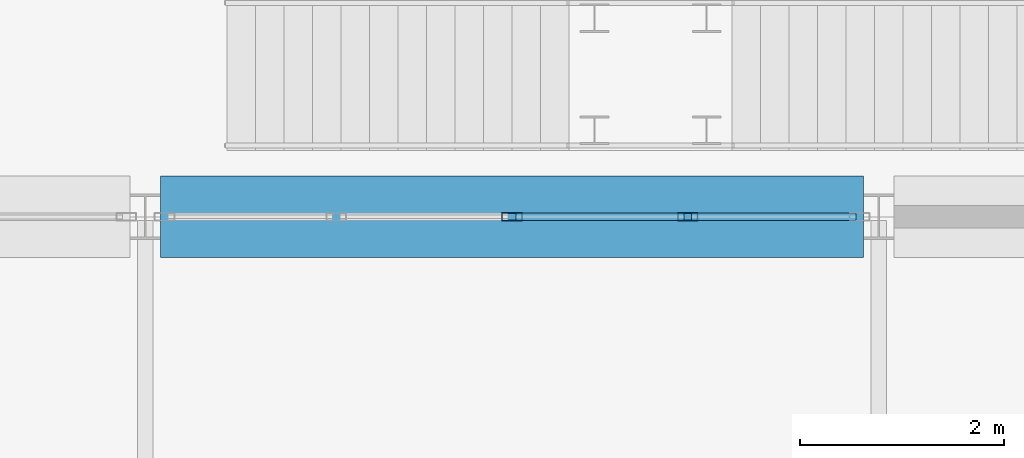
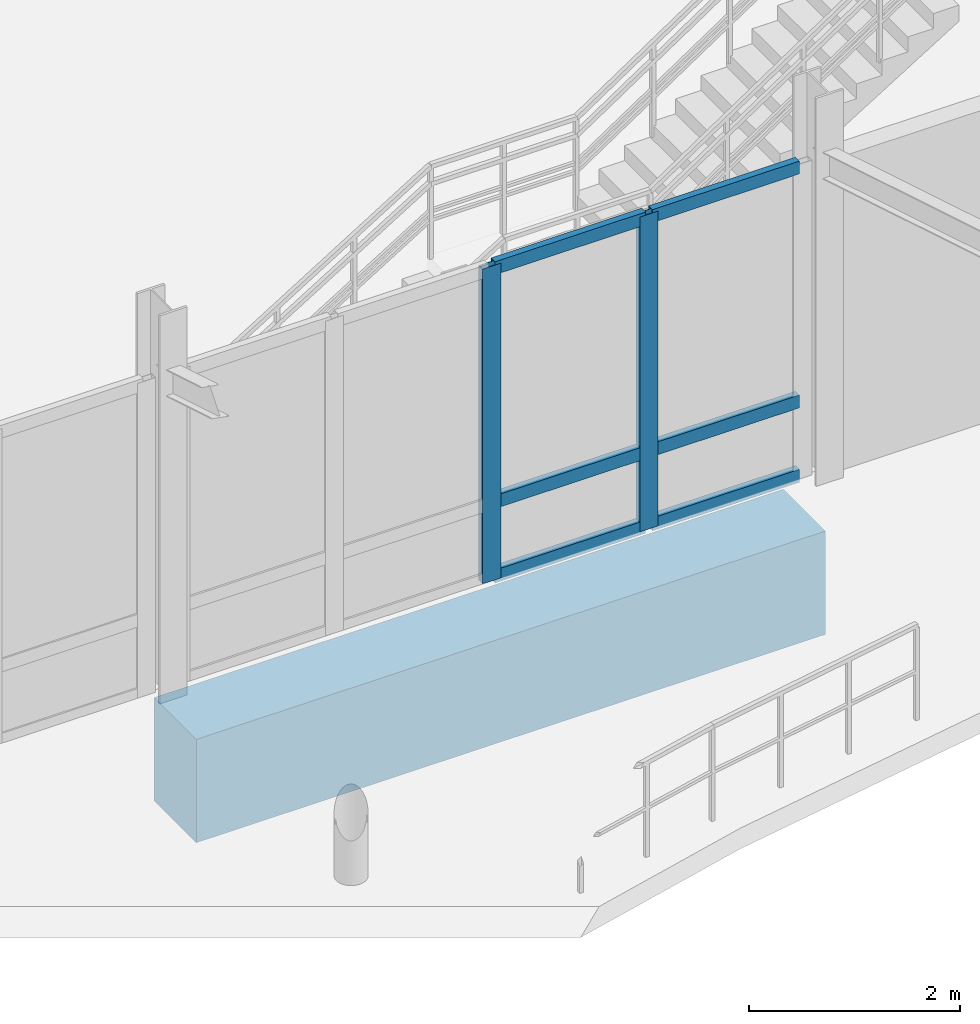
# One storey, part 38 of 139: 8 members, 1 beam, 1 element without a shape of its own.
"""IFC4 building model written with IfcOpenShell, lengths in metres."""

from ifc_helpers import new_model, si_unit, direction, frame, origin, origin_2d, place, context, subcontext, project, spatial, rectangle, hollow_rectangle, extrude, material, material_profile, profile_set, type_object, element, aggregate, save


model = new_model("IFC4")

# Units and contexts
model_context = context("Model", 3, precision=1e-05, world=origin(), true_north=direction((0.0, 1.0)))
body_context = subcontext(model_context, "Body", "Model", "MODEL_VIEW")
ifc_project = project(units=[si_unit("LENGTHUNIT", "METRE"), si_unit("AREAUNIT", "SQUARE_METRE"), si_unit("VOLUMEUNIT", "CUBIC_METRE"), si_unit("PLANEANGLEUNIT", "RADIAN"), si_unit("MASSUNIT", "GRAM", prefix="KILO")], contexts=[model_context])

# Site, building, storey
site_placement = place(None, origin())
site = spatial("IfcSite", under=ifc_project, at=site_placement, CompositionType="ELEMENT")
building_placement = place(site_placement, origin())
building = spatial("IfcBuilding", under=site, at=building_placement, Name="Suanplinth Sawtooth Commons", CompositionType="ELEMENT")
storey_placement = place(building_placement, origin())
storey = spatial("IfcBuildingStorey", under=building, at=storey_placement, Name="L00", CompositionType="ELEMENT", Elevation=0.0)

# Beam
ifc_material_1 = material(Name="Concrete C40/50", Category="concrete")
ifc_material_profile_1 = material_profile(ifc_material_1, rectangle(XDim=0.800048828125, YDim=1.199951171875, at=origin_2d()), Name="RC-TG 800x1200")
ifc_profile_set_1 = profile_set([ifc_material_profile_1], Name="Concrete C40/50")
beam_type = type_object("IfcBeamType", Name="B-01", PredefinedType="USERDEFINED", material=ifc_profile_set_1)
beam_placement = place(storey_placement, frame((72.14990234375, 50.39990234375, -1.010009765625), z_axis=(1.0, 0.0, 0.0), x_axis=(0.0, 1.0, 0.0)))
element("IfcBeam", 1, at=beam_placement, inside=storey, type_object=beam_type, Name="BMX-L00-HALL-10-7", ObjectType="GIRDER", PredefinedType="USERDEFINED", context=body_context, shape_type="SweptSolid", body=[
    extrude(rectangle(XDim=0.800048828125, YDim=1.199951171875, at=origin_2d()), origin(), (0.0, 0.0, 1.0), 6.900146484375),
])

# Curtain wall, members
ifc_material_2 = material(Name="Anodized aluminium and low-E glazing", Category="aluminium")
curtain_wall_type = type_object("IfcCurtainWallType", Name="CW-01", PredefinedType="USERDEFINED", material=ifc_material_2)
curtain_wall_placement = place(storey_placement, origin())
curtain_wall = element("IfcCurtainWall", 2, at=curtain_wall_placement, inside=storey, type_object=curtain_wall_type, Name="Curtain Wall CW-L00-HALL-S-1", ObjectType="CURTAIN WALL", PredefinedType="USERDEFINED")
ifc_material_3 = material(Name="Anodized aluminium 6063-T6", Category="aluminium")
ifc_material_profile_2 = material_profile(ifc_material_3, hollow_rectangle(XDim=0.074951171875, YDim=0.199951171875, WallThickness=0.0048828125, at=origin_2d()), Name="ALU-MUL 75x200")
ifc_profile_set_2 = profile_set([ifc_material_profile_2], Name="Anodized aluminium 6063-T6")
member_type_1 = type_object("IfcMemberType", Name="M-14", PredefinedType="MULLION", material=ifc_profile_set_2)
member_1_placement = place(storey_placement, frame((75.60009765625, 50.39990234375, 0.0), z_axis=(0.0, 0.0, 1.0), x_axis=(0.0, 1.0, 0.0)))
member_1 = element("IfcMember", 3, at=member_1_placement, type_object=member_type_1, Name="CW-01 mullion 3", PredefinedType="MULLION", context=body_context, shape_type="SweptSolid", body=[
    extrude(hollow_rectangle(XDim=0.074951171875, YDim=0.199951171875, WallThickness=0.0048828125, at=origin_2d()), origin(), (0.0, 0.0, 1.0), 3.64990234375),
])
member_2_placement = place(storey_placement, frame((77.324951171875, 50.39990234375, 0.0), z_axis=(0.0, 0.0, 1.0), x_axis=(0.0, 1.0, 0.0)))
member_2 = element("IfcMember", 4, at=member_2_placement, type_object=member_type_1, Name="CW-01 mullion 4", PredefinedType="MULLION", context=body_context, shape_type="SweptSolid", body=[
    extrude(hollow_rectangle(XDim=0.074951171875, YDim=0.199951171875, WallThickness=0.0048828125, at=origin_2d()), origin(), (0.0, 0.0, 1.0), 3.64990234375),
])
ifc_material_profile_3 = material_profile(ifc_material_3, hollow_rectangle(XDim=0.074951171875, YDim=0.14990234375, WallThickness=0.00439453125, at=origin_2d()), Name="ALU-TRN 75x150")
ifc_profile_set_3 = profile_set([ifc_material_profile_3], Name="Anodized aluminium 6063-T6")
member_type_2 = type_object("IfcMemberType", Name="M-16", PredefinedType="USERDEFINED", material=ifc_profile_set_3)
member_3_placement = place(storey_placement, frame((75.637451171875, 50.39990234375, 0.03759765625), z_axis=(1.0, 0.0, 0.0), x_axis=(0.0, 1.0, 0.0)))
member_3 = element("IfcMember", 5, at=member_3_placement, type_object=member_type_2, Name="CW-01 transom 3.1", ObjectType="TRANSOM", PredefinedType="USERDEFINED", context=body_context, shape_type="SweptSolid", body=[
    extrude(hollow_rectangle(XDim=0.074951171875, YDim=0.14990234375, WallThickness=0.00439453125, at=origin_2d()), origin(), (0.0, 0.0, 1.0), 1.650146484375),
])
member_4_placement = place(storey_placement, frame((75.637451171875, 50.39990234375, 0.89990234375), z_axis=(1.0, 0.0, 0.0), x_axis=(0.0, 1.0, 0.0)))
member_4 = element("IfcMember", 6, at=member_4_placement, type_object=member_type_2, Name="CW-01 transom 3.2", ObjectType="TRANSOM", PredefinedType="USERDEFINED", context=body_context, shape_type="SweptSolid", body=[
    extrude(hollow_rectangle(XDim=0.074951171875, YDim=0.14990234375, WallThickness=0.00439453125, at=origin_2d()), origin(), (0.0, 0.0, 1.0), 1.650146484375),
])
member_5_placement = place(storey_placement, frame((75.637451171875, 50.39990234375, 3.612548828125), z_axis=(1.0, 0.0, 0.0), x_axis=(0.0, 1.0, 0.0)))
member_5 = element("IfcMember", 7, at=member_5_placement, type_object=member_type_2, Name="CW-01 transom 3.3", ObjectType="TRANSOM", PredefinedType="USERDEFINED", context=body_context, shape_type="SweptSolid", body=[
    extrude(hollow_rectangle(XDim=0.074951171875, YDim=0.14990234375, WallThickness=0.00439453125, at=origin_2d()), origin(), (0.0, 0.0, 1.0), 1.650146484375),
])
member_6_placement = place(storey_placement, frame((77.362548828125, 50.39990234375, 0.03759765625), z_axis=(1.0, 0.0, 0.0), x_axis=(0.0, 1.0, 0.0)))
member_6 = element("IfcMember", 8, at=member_6_placement, type_object=member_type_2, Name="CW-01 transom 4.1", ObjectType="TRANSOM", PredefinedType="USERDEFINED", context=body_context, shape_type="SweptSolid", body=[
    extrude(hollow_rectangle(XDim=0.074951171875, YDim=0.14990234375, WallThickness=0.00439453125, at=origin_2d()), origin(), (0.0, 0.0, 1.0), 1.612548828125),
])
member_7_placement = place(storey_placement, frame((77.362548828125, 50.39990234375, 0.89990234375), z_axis=(1.0, 0.0, 0.0), x_axis=(0.0, 1.0, 0.0)))
member_7 = element("IfcMember", 9, at=member_7_placement, type_object=member_type_2, Name="CW-01 transom 4.2", ObjectType="TRANSOM", PredefinedType="USERDEFINED", context=body_context, shape_type="SweptSolid", body=[
    extrude(hollow_rectangle(XDim=0.074951171875, YDim=0.14990234375, WallThickness=0.00439453125, at=origin_2d()), origin(), (0.0, 0.0, 1.0), 1.612548828125),
])
member_8_placement = place(storey_placement, frame((77.362548828125, 50.39990234375, 3.612548828125), z_axis=(1.0, 0.0, 0.0), x_axis=(0.0, 1.0, 0.0)))
member_8 = element("IfcMember", 10, at=member_8_placement, type_object=member_type_2, Name="CW-01 transom 4.3", ObjectType="TRANSOM", PredefinedType="USERDEFINED", context=body_context, shape_type="SweptSolid", body=[
    extrude(hollow_rectangle(XDim=0.074951171875, YDim=0.14990234375, WallThickness=0.00439453125, at=origin_2d()), origin(), (0.0, 0.0, 1.0), 1.612548828125),
])
aggregate(curtain_wall, [member_1, member_2, member_3, member_4, member_5, member_6, member_7, member_8])

save(model, "model.ifc")
